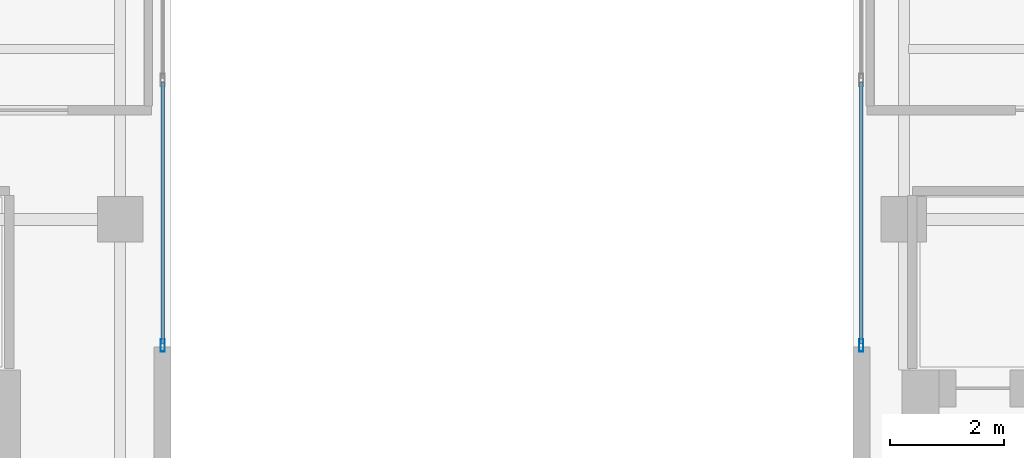
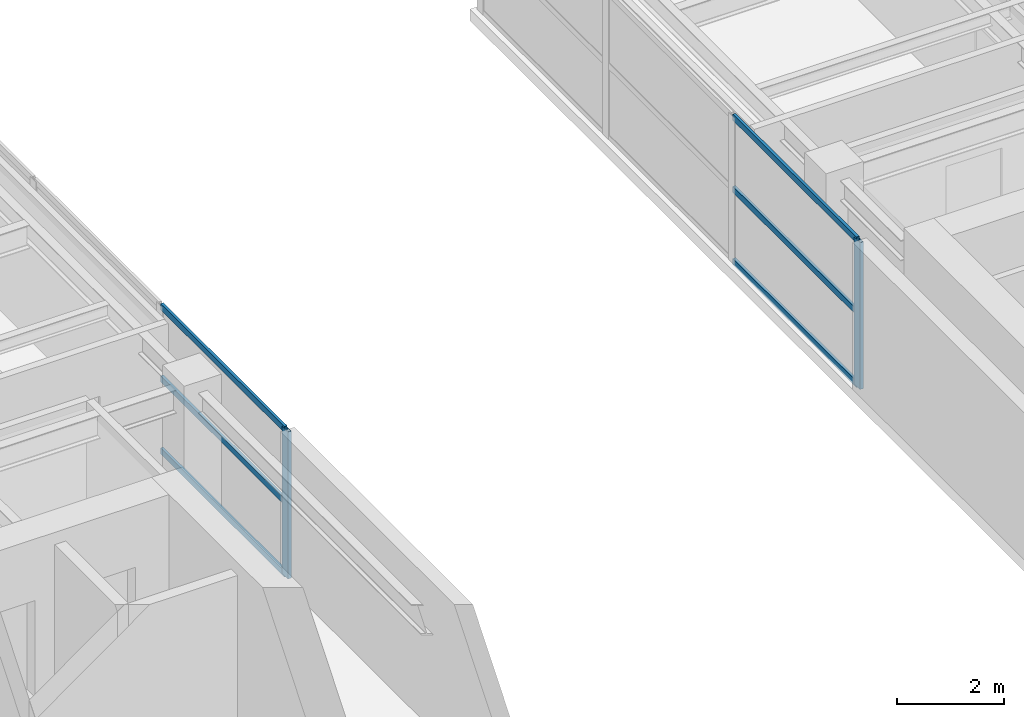
# One storey, part 9 of 22: 8 members, 2 elements without a shape of their own.
"""IFC4 building model written with IfcOpenShell, lengths in metres."""

from ifc_helpers import new_model, si_unit, direction, frame, origin, origin_2d, place, context, subcontext, project, spatial, hollow_rectangle, extrude, source, transform, mapped, material, layer, layer_set, material_profile, profile_set, type_object, element, aggregate, save


model = new_model("IFC4")

# Units and contexts
model_context = context("Model", 3, precision=1e-05, world=origin(), true_north=direction((0.0, 1.0)))
body_context = subcontext(model_context, "Body", "Model", "MODEL_VIEW")
ifc_project = project(units=[si_unit("LENGTHUNIT", "METRE"), si_unit("AREAUNIT", "SQUARE_METRE"), si_unit("VOLUMEUNIT", "CUBIC_METRE"), si_unit("PLANEANGLEUNIT", "RADIAN"), si_unit("MASSUNIT", "GRAM", prefix="KILO")], contexts=[model_context])

# Site, building, storey
site_placement = place(None, origin())
site = spatial("IfcSite", under=ifc_project, at=site_placement, CompositionType="ELEMENT")
building_placement = place(site_placement, origin())
building = spatial("IfcBuilding", under=site, at=building_placement, Name="Khoralis Quay Care Tower", CompositionType="ELEMENT")
storey_placement = place(building_placement, frame((0.0, 0.0, 195.300048828125)))
storey = spatial("IfcBuildingStorey", under=building, at=storey_placement, Name="L51", CompositionType="ELEMENT", Elevation=195.300048828125)

# Curtain wall, members
ifc_material = material(Name="Pale anodised aluminium", Category="aluminium")
ifc_layer = layer(ifc_material, 0.18994140625)
ifc_layer_set = layer_set([ifc_layer], Name="Pale anodised aluminium")
curtain_wall_type = type_object("IfcCurtainWallType", Name="CW-SYS-PORTAL", PredefinedType="NOTDEFINED", material=ifc_layer_set)
curtain_wall_1_placement = place(storey_placement, origin())
curtain_wall_1 = element("IfcCurtainWall", 1, at=curtain_wall_1_placement, inside=storey, type_object=curtain_wall_type, Name="L51 Unitised Curtain Wall CW-VP-L51-P1-N", PredefinedType="NOTDEFINED")
ifc_material_profile_1 = material_profile(ifc_material, hollow_rectangle(XDim=0.06005859375, YDim=0.139892578125, WallThickness=0.00390625, at=origin_2d()), Name="Pale anodised aluminium")
ifc_profile_set_1 = profile_set([ifc_material_profile_1], Name="Pale anodised aluminium")
member_type_1 = type_object("IfcMemberType", Name="CW-TRN-140", PredefinedType="USERDEFINED", material=ifc_profile_set_1)
shared_shape_1 = source(origin(), body_context, "Body", "SweptSolid", [
    extrude(hollow_rectangle(XDim=0.06005859375, YDim=0.139892578125, WallThickness=0.00390625, at=origin_2d()), origin(), (0.0, 0.0, 1.0), 4.60986328125),
])
member_1_placement = place(storey_placement, frame((17.85009765625, 27.81005859375, 0.030029296875), z_axis=(0.0, 1.0, 0.0), x_axis=(-1.0, 0.0, 0.0)))
member_1 = element("IfcMember", 2, at=member_1_placement, type_object=member_type_1, Name="CW4 transom 1.1", ObjectType="TRANSOM", PredefinedType="USERDEFINED", context=body_context, shape_type="MappedRepresentation", body=[
    mapped(shared_shape_1, transform((0.0, 0.0, 0.0), scale=1.0)),
])
member_2_placement = place(storey_placement, frame((17.85009765625, 27.81005859375, 1.669921875), z_axis=(0.0, 1.0, 0.0), x_axis=(-1.0, 0.0, 0.0)))
member_2 = element("IfcMember", 3, at=member_2_placement, type_object=member_type_1, Name="CW4 transom 1.2", ObjectType="TRANSOM", PredefinedType="USERDEFINED", context=body_context, shape_type="MappedRepresentation", body=[
    mapped(shared_shape_1, transform((0.0, 0.0, 0.0), scale=1.0)),
])
member_3_placement = place(storey_placement, frame((17.85009765625, 27.81005859375, 3.31005859375), z_axis=(0.0, 1.0, 0.0), x_axis=(-1.0, 0.0, 0.0)))
member_3 = element("IfcMember", 4, at=member_3_placement, type_object=member_type_1, Name="CW4 transom 1.3", ObjectType="TRANSOM", PredefinedType="USERDEFINED", context=body_context, shape_type="MappedRepresentation", body=[
    mapped(shared_shape_1, transform((0.0, 0.0, 0.0), scale=1.0)),
])

curtain_wall_2_placement = place(storey_placement, origin())
curtain_wall_2 = element("IfcCurtainWall", 5, at=curtain_wall_2_placement, inside=storey, type_object=curtain_wall_type, Name="L51 Unitised Curtain Wall CW-VP-L51-P2-N", PredefinedType="NOTDEFINED")
member_4_placement = place(storey_placement, frame((30.14990234375, 27.81005859375, 0.030029296875), z_axis=(0.0, 1.0, 0.0), x_axis=(-1.0, 0.0, 0.0)))
member_4 = element("IfcMember", 6, at=member_4_placement, type_object=member_type_1, Name="CW4 transom 1.1", ObjectType="TRANSOM", PredefinedType="USERDEFINED", context=body_context, shape_type="MappedRepresentation", body=[
    mapped(shared_shape_1, transform((0.0, 0.0, 0.0), scale=1.0)),
])
member_5_placement = place(storey_placement, frame((30.14990234375, 27.81005859375, 1.669921875), z_axis=(0.0, 1.0, 0.0), x_axis=(-1.0, 0.0, 0.0)))
member_5 = element("IfcMember", 7, at=member_5_placement, type_object=member_type_1, Name="CW4 transom 1.2", ObjectType="TRANSOM", PredefinedType="USERDEFINED", context=body_context, shape_type="MappedRepresentation", body=[
    mapped(shared_shape_1, transform((0.0, 0.0, 0.0), scale=1.0)),
])
member_6_placement = place(storey_placement, frame((30.14990234375, 27.81005859375, 3.31005859375), z_axis=(0.0, 1.0, 0.0), x_axis=(-1.0, 0.0, 0.0)))
member_6 = element("IfcMember", 8, at=member_6_placement, type_object=member_type_1, Name="CW4 transom 1.3", ObjectType="TRANSOM", PredefinedType="USERDEFINED", context=body_context, shape_type="MappedRepresentation", body=[
    mapped(shared_shape_1, transform((0.0, 0.0, 0.0), scale=1.0)),
])

# Member
ifc_material_profile_2 = material_profile(ifc_material, hollow_rectangle(XDim=0.074951171875, YDim=0.219970703125, WallThickness=0.00390625, at=origin_2d()), Name="Pale anodised aluminium")
ifc_profile_set_2 = profile_set([ifc_material_profile_2], Name="Pale anodised aluminium")
member_type_2 = type_object("IfcMemberType", Name="CW-MUL-220", PredefinedType="MULLION", material=ifc_profile_set_2)
shared_shape_2 = source(origin(), body_context, "Body", "SweptSolid", [
    extrude(hollow_rectangle(XDim=0.074951171875, YDim=0.219970703125, WallThickness=0.00390625, at=origin_2d()), origin(), (0.0, 0.0, 1.0), 3.33984375),
])
member_7_placement = place(storey_placement, frame((17.85009765625, 27.780029296875, 0.0), z_axis=(0.0, 0.0, 1.0), x_axis=(-1.0, 0.0, 0.0)))
member_7 = element("IfcMember", 9, at=member_7_placement, type_object=member_type_2, Name="CW4 mullion 1", PredefinedType="MULLION", context=body_context, shape_type="MappedRepresentation", body=[
    mapped(shared_shape_2, transform((0.0, 0.0, 0.0), scale=1.0)),
])

aggregate(curtain_wall_1, [member_7, member_1, member_2, member_3])

member_8_placement = place(storey_placement, frame((30.14990234375, 27.780029296875, 0.0), z_axis=(0.0, 0.0, 1.0), x_axis=(-1.0, 0.0, 0.0)))
member_8 = element("IfcMember", 10, at=member_8_placement, type_object=member_type_2, Name="CW4 mullion 1", PredefinedType="MULLION", context=body_context, shape_type="MappedRepresentation", body=[
    mapped(shared_shape_2, transform((0.0, 0.0, 0.0), scale=1.0)),
])

aggregate(curtain_wall_2, [member_8, member_4, member_5, member_6])

save(model, "model.ifc")
